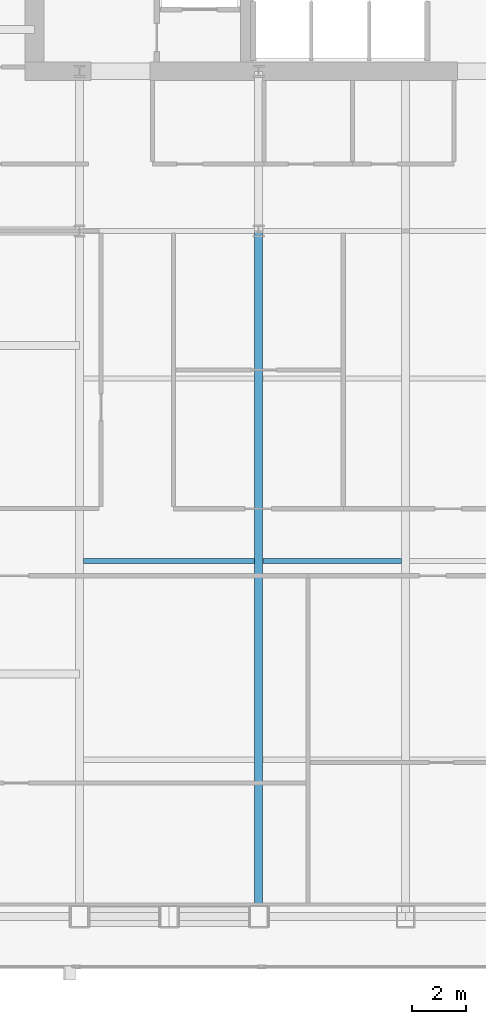
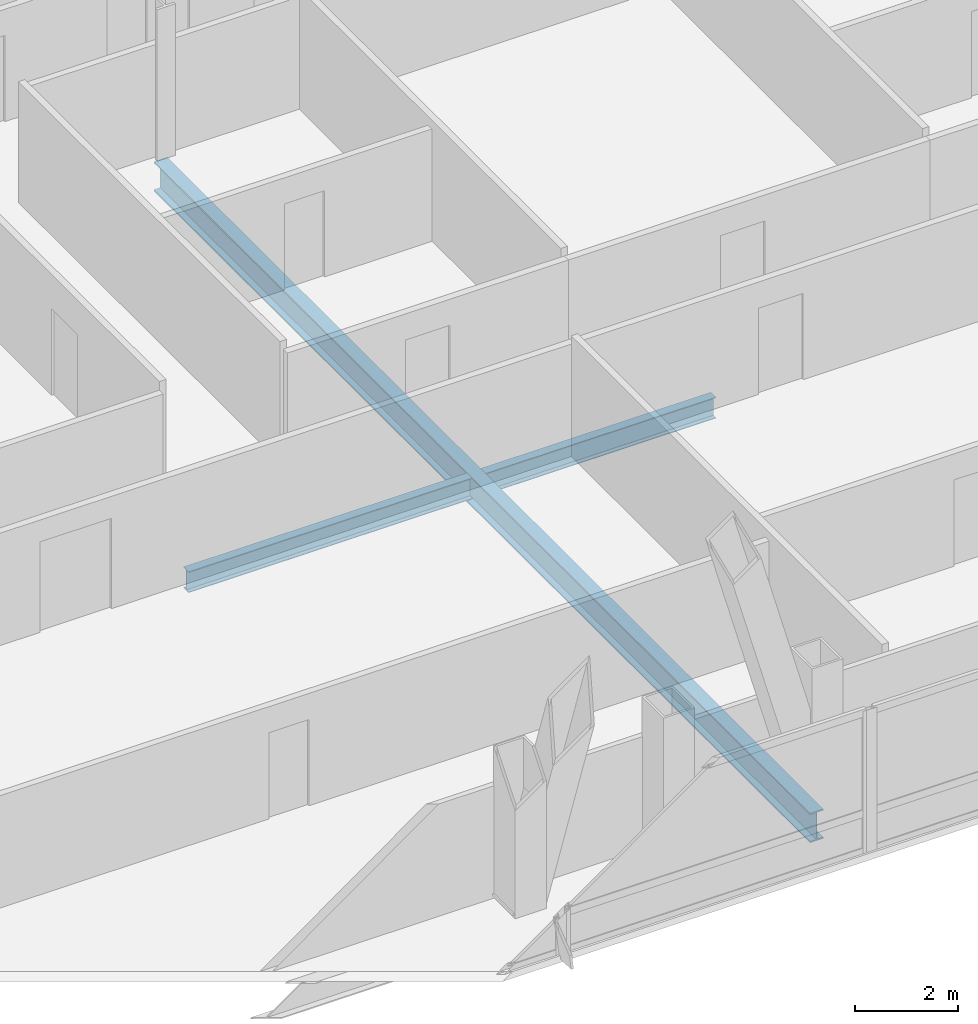
# One storey, part 9 of 31: 3 beams.
"""IFC4 building model written with IfcOpenShell, lengths in metres."""

from ifc_helpers import new_model, si_unit, direction, frame, origin, origin_2d, place, context, subcontext, project, spatial, i_section, extrude, material, material_profile, profile_set, type_object, element, save


model = new_model("IFC4")

# Units and contexts
model_context = context("Model", 3, precision=1e-05, world=origin(), true_north=direction((0.0, 1.0)))
body_context = subcontext(model_context, "Body", "Model", "MODEL_VIEW")
ifc_project = project(units=[si_unit("LENGTHUNIT", "METRE"), si_unit("AREAUNIT", "SQUARE_METRE"), si_unit("VOLUMEUNIT", "CUBIC_METRE"), si_unit("PLANEANGLEUNIT", "RADIAN"), si_unit("MASSUNIT", "GRAM", prefix="KILO")], contexts=[model_context])

# Site, building, storey
site_placement = place(None, origin())
site = spatial("IfcSite", under=ifc_project, at=site_placement, CompositionType="ELEMENT")
building_placement = place(site_placement, origin())
building = spatial("IfcBuilding", under=site, at=building_placement, Name="Khoronbel Lancet Exchange", CompositionType="ELEMENT")
storey_placement = place(building_placement, frame((0.0, 0.0, 168.60009765625)))
storey = spatial("IfcBuildingStorey", under=building, at=storey_placement, Name="L42", CompositionType="ELEMENT", Elevation=168.60009765625)

# Beams
ifc_material = material(Name="Steel S355", Category="steel")
ifc_material_profile_1 = material_profile(ifc_material, i_section(OverallWidth=0.300048828125, OverallDepth=0.699951171875, WebThickness=0.01708984375, FlangeThickness=0.031982421875, at=origin_2d()), Name="HEB 700")
ifc_profile_set_1 = profile_set([ifc_material_profile_1], Name="Steel S355")
beam_type_1 = type_object("IfcBeamType", Name="BM-BG3", PredefinedType="BEAM", material=ifc_profile_set_1)
beam_1_placement = place(storey_placement, frame((24.89990234375, 10.14990234375, -0.510009765625), z_axis=(0.0, 1.0, 0.0), x_axis=(-1.0, 0.0, 0.0)))
element("IfcBeam", 1, at=beam_1_placement, inside=storey, type_object=beam_type_1, Name="Level L42 south primary girder GS2", PredefinedType="BEAM", context=body_context, shape_type="SweptSolid", body=[
    extrude(i_section(OverallWidth=0.300048828125, OverallDepth=0.699951171875, WebThickness=0.01708984375, FlangeThickness=0.031982421875, at=origin_2d()), origin(), (0.0, 0.0, 1.0), 25.550048828125),
])
ifc_material_profile_2 = material_profile(ifc_material, i_section(OverallWidth=0.199951171875, OverallDepth=0.5, WebThickness=0.01025390625, FlangeThickness=0.01611328125, at=origin_2d()), Name="IPE 500")
ifc_profile_set_2 = profile_set([ifc_material_profile_2], Name="Steel S355")
beam_type_2 = type_object("IfcBeamType", Name="BM-BJ3", PredefinedType="JOIST", material=ifc_profile_set_2)
beam_2_placement = place(storey_placement, frame((18.375, 23.39990234375, -0.41015625), z_axis=(1.0, 0.0, 0.0), x_axis=(0.0, 1.0, 0.0)))
element("IfcBeam", 2, at=beam_2_placement, inside=storey, type_object=beam_type_2, Name="Level L42 secondary composite joist J06", PredefinedType="JOIST", context=body_context, shape_type="SweptSolid", body=[
    extrude(i_section(OverallWidth=0.199951171875, OverallDepth=0.5, WebThickness=0.01025390625, FlangeThickness=0.01611328125, at=origin_2d()), origin(), (0.0, 0.0, 1.0), 6.375),
])
beam_3_placement = place(storey_placement, frame((25.050048828125, 23.39990234375, -0.41015625), z_axis=(1.0, 0.0, 0.0), x_axis=(0.0, 1.0, 0.0)))
element("IfcBeam", 3, at=beam_3_placement, inside=storey, type_object=beam_type_2, Name="Level L42 secondary composite joist J07", PredefinedType="JOIST", context=body_context, shape_type="SweptSolid", body=[
    extrude(i_section(OverallWidth=0.199951171875, OverallDepth=0.5, WebThickness=0.01025390625, FlangeThickness=0.01611328125, at=origin_2d()), origin(), (0.0, 0.0, 1.0), 5.175048828125),
])

save(model, "model.ifc")
